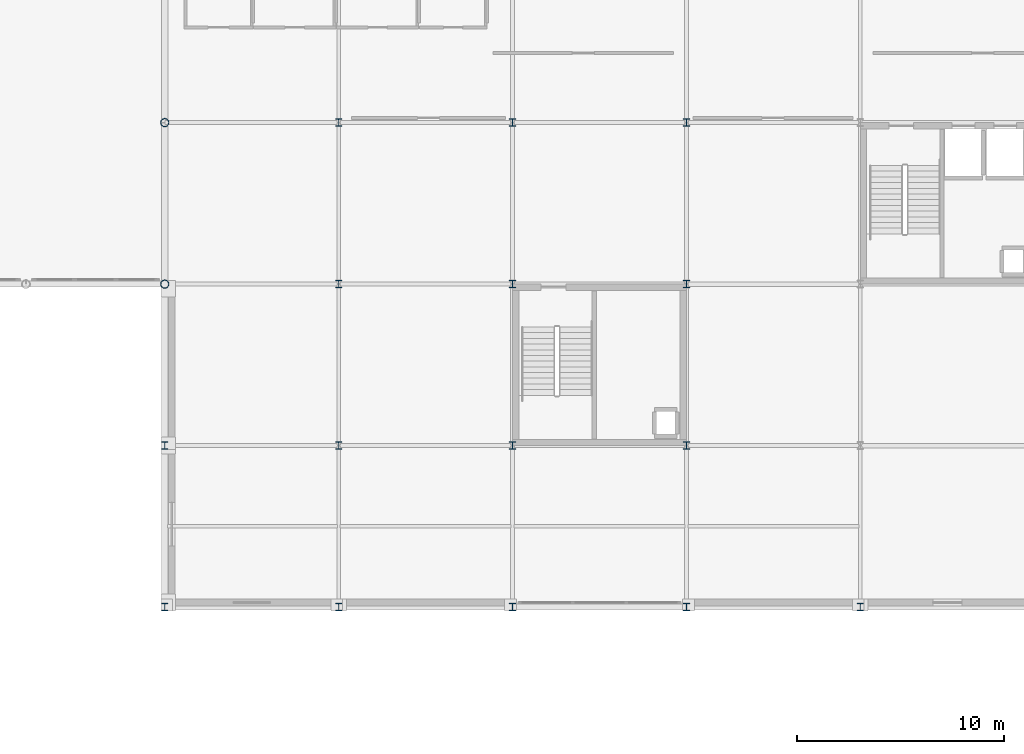
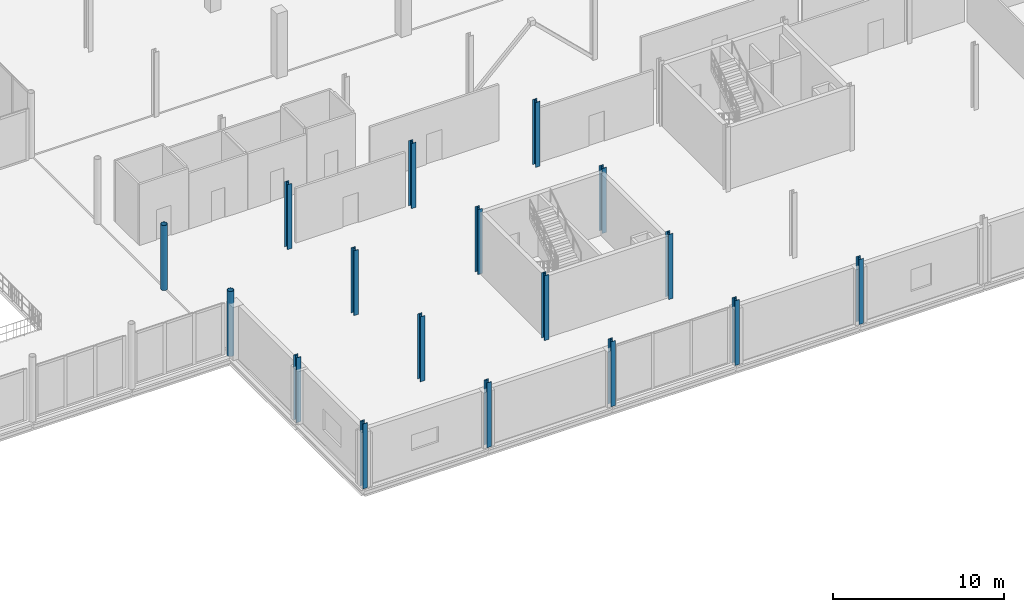
# One storey, part 10 of 98: 17 columns.
"""IFC4 building model written with IfcOpenShell, lengths in metres."""

from ifc_helpers import new_model, si_unit, direction, frame, origin, origin_2d, place, context, subcontext, project, spatial, hollow_circle, i_section, extrude, material, material_profile, profile_set, type_object, element, save


model = new_model("IFC4")

# Units and contexts
model_context = context("Model", 3, precision=1e-05, world=origin(), true_north=direction((0.0, 1.0)))
body_context = subcontext(model_context, "Body", "Model", "MODEL_VIEW")
ifc_project = project(units=[si_unit("LENGTHUNIT", "METRE"), si_unit("AREAUNIT", "SQUARE_METRE"), si_unit("VOLUMEUNIT", "CUBIC_METRE"), si_unit("PLANEANGLEUNIT", "RADIAN"), si_unit("MASSUNIT", "GRAM", prefix="KILO")], contexts=[model_context])

# Site, building, storey
site_placement = place(None, origin())
site = spatial("IfcSite", under=ifc_project, at=site_placement, CompositionType="ELEMENT")
building_placement = place(site_placement, origin())
building = spatial("IfcBuilding", under=site, at=building_placement, Name="Nabrawat Pavilion Hospital", CompositionType="ELEMENT")
storey_placement = place(building_placement, frame((0.0, 0.0, 10.199951171875)))
storey = spatial("IfcBuildingStorey", under=building, at=storey_placement, Name="L02", CompositionType="ELEMENT", Elevation=10.199951171875)

# Columns
ifc_material = material(Name="Steel S355", Category="steel")
ifc_material_profile_1 = material_profile(ifc_material, hollow_circle(Radius=0.203125, WallThickness=0.02001953125, at=origin_2d()), Name="CHS 406.4x20")
ifc_profile_set_1 = profile_set([ifc_material_profile_1], Name="Steel S355")
column_type_1 = type_object("IfcColumnType", Name="Expressed Pavilion Tubular Column CHS 406.4x20", PredefinedType="COLUMN", material=ifc_profile_set_1)
for number, where, z_axis, x_axis, name in (
    (1, (126.0, 23.39990234375, 0.0), (0.0, 0.0, 1.0), (1.0, 0.0, 0.0), "L02 Expressed Pavilion Column MH-E01"),
    (2, (126.0, 15.60009765625, 0.0), (0.0, 0.0, 1.0), (1.0, 0.0, 0.0), "L02 Expressed Pavilion Column MH-S10"),
):
    element("IfcColumn", number, at=place(storey_placement, frame(where, z_axis=z_axis, x_axis=x_axis)), inside=storey, type_object=column_type_1, Name=name, PredefinedType="COLUMN", context=body_context, shape_type="SweptSolid", body=[
        extrude(hollow_circle(Radius=0.203125, WallThickness=0.02001953125, at=origin_2d()), origin(), (0.0, 0.0, 1.0), 4.650146484375),
    ])
ifc_material_profile_2 = material_profile(ifc_material, i_section(OverallWidth=0.300048828125, OverallDepth=0.360107421875, WebThickness=0.012451171875, FlangeThickness=0.0224609375, FilletRadius=0.027099609375, at=origin_2d()), Name="HEB 360")
ifc_profile_set_2 = profile_set([ifc_material_profile_2], Name="Steel S355")
column_type_2 = type_object("IfcColumnType", Name="Upper Steel Column HEB 360", PredefinedType="COLUMN", material=ifc_profile_set_2)
for number, where, z_axis, x_axis, name in (
    (3, (126.0, 0.0, 0.0), (0.0, 0.0, 1.0), (1.0, 0.0, 0.0), "L02 Structural Column G-16A-A"),
    (4, (126.0, 7.800048828125, 0.0), (0.0, 0.0, 1.0), (1.0, 0.0, 0.0), "L02 Structural Column G-16A-B"),
    (5, (134.39990234375, 0.0, 0.0), (0.0, 0.0, 1.0), (1.0, 0.0, 0.0), "L02 Structural Column G-17-A"),
    (6, (134.39990234375, 7.800048828125, 0.0), (0.0, 0.0, 1.0), (1.0, 0.0, 0.0), "L02 Structural Column G-17-B"),
    (7, (134.39990234375, 15.60009765625, 0.0), (0.0, 0.0, 1.0), (1.0, 0.0, 0.0), "L02 Structural Column G-17-C"),
    (8, (134.39990234375, 23.39990234375, 0.0), (0.0, 0.0, 1.0), (1.0, 0.0, 0.0), "L02 Structural Column G-17-D"),
    (9, (142.800048828125, 0.0, 0.0), (0.0, 0.0, 1.0), (1.0, 0.0, 0.0), "L02 Structural Column G-18-A"),
    (10, (142.800048828125, 7.800048828125, 0.0), (0.0, 0.0, 1.0), (1.0, 0.0, 0.0), "L02 Structural Column G-18-B"),
    (11, (142.800048828125, 15.60009765625, 0.0), (0.0, 0.0, 1.0), (1.0, 0.0, 0.0), "L02 Structural Column G-18-C"),
    (12, (142.800048828125, 23.39990234375, 0.0), (0.0, 0.0, 1.0), (1.0, 0.0, 0.0), "L02 Structural Column G-18-D"),
    (13, (151.199951171875, 0.0, 0.0), (0.0, 0.0, 1.0), (1.0, 0.0, 0.0), "L02 Structural Column G-19-A"),
    (14, (151.199951171875, 7.800048828125, 0.0), (0.0, 0.0, 1.0), (1.0, 0.0, 0.0), "L02 Structural Column G-19-B"),
    (15, (151.199951171875, 15.60009765625, 0.0), (0.0, 0.0, 1.0), (1.0, 0.0, 0.0), "L02 Structural Column G-19-C"),
    (16, (151.199951171875, 23.39990234375, 0.0), (0.0, 0.0, 1.0), (1.0, 0.0, 0.0), "L02 Structural Column G-19-D"),
    (17, (159.60009765625, 0.0, 0.0), (0.0, 0.0, 1.0), (1.0, 0.0, 0.0), "L02 Structural Column G-20-A"),
):
    element("IfcColumn", number, at=place(storey_placement, frame(where, z_axis=z_axis, x_axis=x_axis)), inside=storey, type_object=column_type_2, Name=name, PredefinedType="COLUMN", context=body_context, shape_type="SweptSolid", body=[
        extrude(i_section(OverallWidth=0.300048828125, OverallDepth=0.360107421875, WebThickness=0.012451171875, FlangeThickness=0.0224609375, FilletRadius=0.027099609375, at=origin_2d()), origin(), (0.0, 0.0, 1.0), 4.650146484375),
    ])

save(model, "model.ifc")
